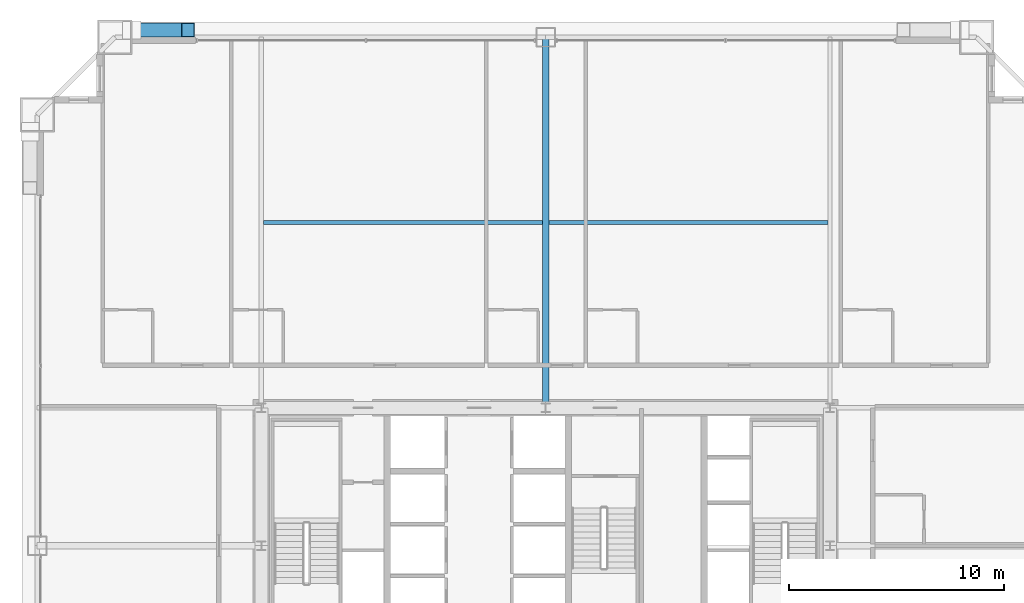
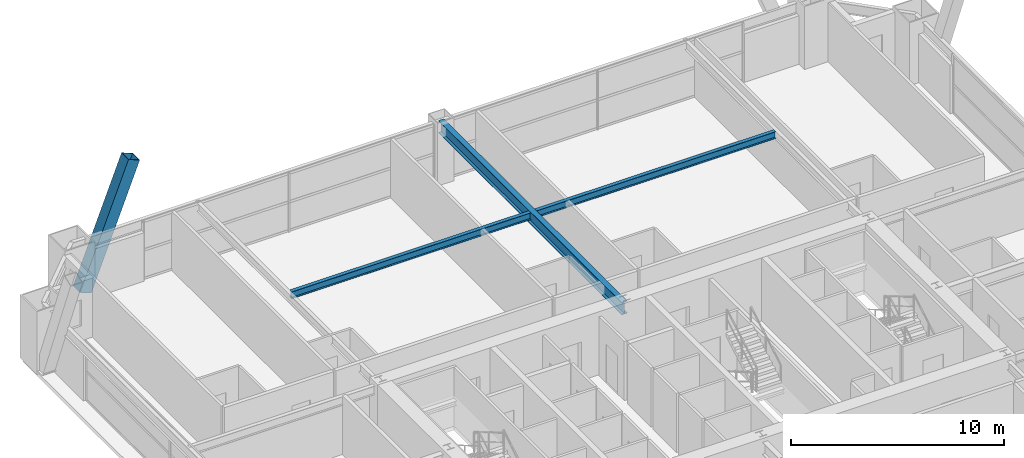
# One storey, part 24 of 41: 3 beams, 1 member.
"""IFC4 building model written with IfcOpenShell, lengths in metres."""

import ifcopenshell
import ifcopenshell.guid

model = None  # the IFC model being written
_history = None  # IfcOwnerHistory: only IFC2X3 demands one
_inside = {}  # id of a spatial element -> (the spatial element, [elements in it])
_under = {}  # id of a project, library or spatial element -> (it, [spatial elements below it])
_declared = {}  # id of a project -> (the project, [libraries it declares])
_typed = {}  # id of a type object -> (the type object, [elements of that type])
_made_of = {}  # id of a material, layer set ... -> (it, [elements and type objects made of it])


def new_model(schema):
    """Start an empty IFC model of exactly this schema.

    Asked for "IFC4X3", IfcOpenShell would pick the latest addendum, in which some entities
    have other attributes; the version numbers below select the first issue.
    IFC2X3 requires an IfcOwnerHistory on every rooted entity: one is made here for all.
    """
    global model, _history
    if schema == "IFC4X3":
        model = ifcopenshell.file(schema_version=(4, 3, 0, 0))
    else:
        model = ifcopenshell.file(schema=schema)
    _inside.clear()
    _under.clear()
    _declared.clear()
    _typed.clear()
    _made_of.clear()
    _history = None
    if model.schema == "IFC2X3":
        org = make("IfcOrganization", Name="unknown")
        user = make(
            "IfcPersonAndOrganization",
            ThePerson=make("IfcPerson", FamilyName="unknown"),
            TheOrganization=org,
        )
        app = make(
            "IfcApplication",
            ApplicationDeveloper=org,
            Version="unknown",
            ApplicationFullName="unknown",
            ApplicationIdentifier="unknown",
        )
        _history = make(
            "IfcOwnerHistory",
            OwningUser=user,
            OwningApplication=app,
            ChangeAction="ADDED",
            CreationDate=0,
        )
    return model


def make(cls, **values):
    """One entity of the class cls with the attributes given. An attribute that is None is left unset."""
    return model.create_entity(
        cls, **{name: value for name, value in values.items() if value is not None}
    )


def rooted(cls, **values):
    """An entity with a GlobalId (a new one), such as an element, a storey or a relation."""
    return make(cls, GlobalId=ifcopenshell.guid.new(), OwnerHistory=_history, **values)


def si_unit(unit_type, name, prefix=None):
    """IfcSIUnit, for example si_unit("LENGTHUNIT", "METRE", prefix="MILLI")."""
    return make("IfcSIUnit", UnitType=unit_type, Prefix=prefix, Name=name)


def assignment(units):
    """IfcUnitAssignment: the units of a project."""
    return None if units is None else make("IfcUnitAssignment", Units=units)


def point(xyz):
    """IfcCartesianPoint."""
    return None if xyz is None else make("IfcCartesianPoint", Coordinates=xyz)


def direction(xyz):
    """IfcDirection."""
    return None if xyz is None else make("IfcDirection", DirectionRatios=xyz)


def frame(location, z_axis=None, x_axis=None):
    """IfcAxis2Placement3D, a coordinate frame: its origin and axes. An axis left out is left unset."""
    return make(
        "IfcAxis2Placement3D",
        Location=point(location),
        Axis=direction(z_axis),
        RefDirection=direction(x_axis),
    )


def frame_2d(location, x_axis=None):
    """IfcAxis2Placement2D, a coordinate frame in the plane: its origin and x axis."""
    return make(
        "IfcAxis2Placement2D", Location=point(location), RefDirection=direction(x_axis)
    )


def origin():
    """The frame at (0, 0, 0) with its axes left unset."""
    return frame((0.0, 0.0, 0.0))


def origin_2d():
    """The frame at (0, 0) in the plane with its x axis left unset."""
    return frame_2d((0.0, 0.0))


def place(relative_to, where):
    """IfcLocalPlacement: puts the frame where relative to a parent placement (None: the world)."""
    return make(
        "IfcLocalPlacement", PlacementRelTo=relative_to, RelativePlacement=where
    )


def context(
    kind, dimensions, precision=None, world=None, true_north=None, identifier=None
):
    """IfcGeometricRepresentationContext, for example the 3D "Model" context."""
    return make(
        "IfcGeometricRepresentationContext",
        ContextIdentifier=identifier,
        ContextType=kind,
        CoordinateSpaceDimension=dimensions,
        Precision=precision,
        WorldCoordinateSystem=world,
        TrueNorth=true_north,
    )


def subcontext(parent, identifier, kind, view, scale=None):
    """IfcGeometricRepresentationSubContext, for example "Body" below "Model"."""
    return make(
        "IfcGeometricRepresentationSubContext",
        ContextIdentifier=identifier,
        ContextType=kind,
        ParentContext=parent,
        TargetScale=scale,
        TargetView=view,
    )


def project(units=None, contexts=None):
    """IfcProject with its units and contexts."""
    return rooted(
        "IfcProject",
        Name="project",
        RepresentationContexts=contexts,
        UnitsInContext=assignment(units),
    )


def spatial(cls, under=None, at=None, **own):
    """A site, building, storey or space (cls), placed at a placement, below another one or the project."""
    s = rooted(cls, ObjectPlacement=at, **own)
    if under is not None:
        _under.setdefault(under.id(), (under, []))[1].append(s)
    return s


def profile(cls, at=None, kind="AREA", **sizes):
    """A parametric profile (cls). Its sizes go by their IFC names, for example OverallWidth=200.0."""
    return make(cls, ProfileType=kind, Position=at, **sizes)


def hollow_rectangle(**sizes):
    """IfcRectangleHollowProfileDef."""
    return profile("IfcRectangleHollowProfileDef", **sizes)


def i_section(**sizes):
    """IfcIShapeProfileDef."""
    return profile("IfcIShapeProfileDef", **sizes)


def extrude(swept, where, along, depth):
    """IfcExtrudedAreaSolid: the profile swept, set in the frame where, extruded along a direction by depth."""
    return make(
        "IfcExtrudedAreaSolid",
        SweptArea=swept,
        Position=where,
        ExtrudedDirection=direction(along),
        Depth=depth,
    )


def shape(context_of_items, identifier, shape_type, items):
    """IfcShapeRepresentation: the items that make up one representation, for example the "Body"."""
    return make(
        "IfcShapeRepresentation",
        ContextOfItems=context_of_items,
        RepresentationIdentifier=identifier,
        RepresentationType=shape_type,
        Items=items,
    )


def source(mapping_origin, context_of_items, identifier, shape_type, items):
    """IfcRepresentationMap: a shape defined once, which mapped items show again and again."""
    return make(
        "IfcRepresentationMap",
        MappingOrigin=mapping_origin,
        MappedRepresentation=shape(context_of_items, identifier, shape_type, items),
    )


def transform(
    local_origin,
    x_axis=None,
    y_axis=None,
    z_axis=None,
    scale=None,
    scale2=None,
    scale3=None,
    uniform=True,
):
    """IfcCartesianTransformationOperator3D, or its non-uniform kind. x_axis, y_axis, z_axis: its Axis1, 2, 3."""
    if uniform:
        return make(
            "IfcCartesianTransformationOperator3D",
            Axis1=direction(x_axis),
            Axis2=direction(y_axis),
            LocalOrigin=point(local_origin),
            Scale=scale,
            Axis3=direction(z_axis),
        )
    return make(
        "IfcCartesianTransformationOperator3DnonUniform",
        Axis1=direction(x_axis),
        Axis2=direction(y_axis),
        LocalOrigin=point(local_origin),
        Scale=scale,
        Axis3=direction(z_axis),
        Scale2=scale2,
        Scale3=scale3,
    )


def mapped(mapping_source, mapping_target):
    """IfcMappedItem: shows the shape of a source again, moved by a transform."""
    return make(
        "IfcMappedItem", MappingSource=mapping_source, MappingTarget=mapping_target
    )


def material(Name=None, Category=None):
    """IfcMaterial."""
    return make("IfcMaterial", Name=Name, Category=Category)


def material_profile(
    of_material, cross_section, Name=None, Category=None, Priority=None
):
    """IfcMaterialProfile: a cross section and its material."""
    return make(
        "IfcMaterialProfile",
        Name=Name,
        Material=of_material,
        Profile=cross_section,
        Priority=Priority,
        Category=Category,
    )


def profile_set(profiles, Name=None, composite=None):
    """IfcMaterialProfileSet."""
    return make(
        "IfcMaterialProfileSet",
        Name=Name,
        MaterialProfiles=profiles,
        CompositeProfile=composite,
    )


def made_of(thing, what):
    """Note that an element or type object is made of a material, layer set ...; save() writes the relation."""
    if what is not None:
        _made_of.setdefault(what.id(), (what, []))[1].append(thing)
    return thing


def type_object(cls, material=None, **own):
    """A type object (cls), such as IfcWallType, which elements share."""
    return made_of(rooted(cls, **own), material)


def element(
    cls,
    number,
    at=None,
    inside=None,
    cuts=None,
    type_object=None,
    material=None,
    context=None,
    identifier="Body",
    shape_type=None,
    held_by="IfcProductDefinitionShape",
    body=None,
    shapes=None,
    **own,
):
    """One element of the class cls, such as IfcWall. Its Tag is "e" and its number.

    at: its placement. inside: the storey or other place that contains it. cuts: it is an
    opening in that element (IfcRelVoidsElement). A single representation is given by context,
    identifier, shape_type and body (its items); several are given by shapes. held_by: the class
    of the entity that holds the representations. save() writes the other relations.
    """
    e = rooted(cls, Tag="e%d" % number, ObjectPlacement=at, **own)
    if body is not None:
        shapes = [shape(context, identifier, shape_type, body)]
    if shapes is not None:
        e.Representation = make(held_by, Representations=shapes)
    if inside is not None:
        _inside.setdefault(inside.id(), (inside, []))[1].append(e)
    if cuts is not None:
        rooted(
            "IfcRelVoidsElement", RelatingBuildingElement=cuts, RelatedOpeningElement=e
        )
    if type_object is not None:
        _typed.setdefault(type_object.id(), (type_object, []))[1].append(e)
    return made_of(e, material)


def aggregate(whole, parts):
    """IfcRelAggregates: a whole, such as a stair, and the parts it consists of."""
    return rooted("IfcRelAggregates", RelatingObject=whole, RelatedObjects=parts)


def save(model, path):
    """Write the relations noted so far, then the file.

    IfcRelAggregates (storeys below a building ...), IfcRelContainedInSpatialStructure (elements
    in a storey), IfcRelDefinesByType, IfcRelAssociatesMaterial and IfcRelDeclares: one each for
    every whole, place, type object, material and project.
    """
    for whole, parts in _under.values():
        aggregate(whole, parts)
    for where, things in _inside.values():
        rooted(
            "IfcRelContainedInSpatialStructure",
            RelatedElements=things,
            RelatingStructure=where,
        )
    for kind, things in _typed.values():
        rooted("IfcRelDefinesByType", RelatedObjects=things, RelatingType=kind)
    for what, things in _made_of.values():
        rooted("IfcRelAssociatesMaterial", RelatedObjects=things, RelatingMaterial=what)
    for by, libraries in _declared.values():
        rooted("IfcRelDeclares", RelatingContext=by, RelatedDefinitions=libraries)
    model.write(path)


model = new_model("IFC4")

# Units and contexts
model_context = context("Model", 3, precision=1e-05, world=origin(), true_north=direction((0.0, 1.0)))
body_context = subcontext(model_context, "Body", "Model", "MODEL_VIEW")
ifc_project = project(units=[si_unit("LENGTHUNIT", "METRE"), si_unit("AREAUNIT", "SQUARE_METRE"), si_unit("VOLUMEUNIT", "CUBIC_METRE"), si_unit("PLANEANGLEUNIT", "RADIAN"), si_unit("MASSUNIT", "GRAM", prefix="KILO"), si_unit("THERMODYNAMICTEMPERATUREUNIT", "KELVIN"), si_unit("POWERUNIT", "WATT")], contexts=[model_context])

# Site, building, storey
site_placement = place(None, origin())
site = spatial("IfcSite", under=ifc_project, at=site_placement, CompositionType="ELEMENT")
building_placement = place(site_placement, origin())
building = spatial("IfcBuilding", under=site, at=building_placement, Name="Yuzanri Waterfront Tower", CompositionType="ELEMENT")
storey_placement = place(building_placement, frame((0.0, 0.0, 122.60009765625)))
storey = spatial("IfcBuildingStorey", under=building, at=storey_placement, Name="L32", CompositionType="ELEMENT", Elevation=122.60009765625)

# Beams
ifc_material_1 = material(Name="Steel Q355B", Category="steel")
ifc_material_profile_1 = material_profile(ifc_material_1, i_section(OverallWidth=0.199951171875, OverallDepth=0.39990234375, WebThickness=0.008056640625, FlangeThickness=0.012939453125, at=origin_2d()), Name="HN 400x200x8x13")
ifc_profile_set_1 = profile_set([ifc_material_profile_1], Name="Steel Q355B")
beam_type_1 = type_object("IfcBeamType", Name="Floor Joist Q355B HN 400x200", PredefinedType="JOIST", material=ifc_profile_set_1)
shared_shape_1 = source(origin(), body_context, "Body", "SweptSolid", [
    extrude(i_section(OverallWidth=0.199951171875, OverallDepth=0.39990234375, WebThickness=0.008056640625, FlangeThickness=0.012939453125, at=origin_2d()), origin(), (0.0, 0.0, 1.0), 12.9501953125),
])
for number, where, z_axis, x_axis, name in (
    (1, (23.89990234375, 40.800048828125, 3.179931640625), (1.0, 0.0, 0.0), (0.0, 1.0, 0.0), "L32 North Bay Joist W"),
    (2, (37.14990234375, 40.800048828125, 3.179931640625), (1.0, 0.0, 0.0), (0.0, 1.0, 0.0), "L32 North Bay Joist E"),
):
    element("IfcBeam", number, at=place(storey_placement, frame(where, z_axis=z_axis, x_axis=x_axis)), inside=storey, type_object=beam_type_1, Name=name, PredefinedType="JOIST", context=body_context, shape_type="MappedRepresentation", body=[
        mapped(shared_shape_1, transform((0.0, 0.0, 0.0), scale=1.0)),
    ])
ifc_material_2 = material(Name="Steel Q355B", Category="steel")
ifc_material_profile_2 = material_profile(ifc_material_2, i_section(OverallWidth=0.300048828125, OverallDepth=0.699951171875, WebThickness=0.012939453125, FlangeThickness=0.02392578125, at=origin_2d()), Name="HN 700x300x13x24")
ifc_profile_set_2 = profile_set([ifc_material_profile_2], Name="Steel Q355B")
beam_type_2 = type_object("IfcBeamType", Name="Primary Floor Girder Q355B HN 700x300", PredefinedType="BEAM", material=ifc_profile_set_2)
shared_shape_2 = source(origin(), body_context, "Body", "SweptSolid", [
    extrude(i_section(OverallWidth=0.300048828125, OverallDepth=0.699951171875, WebThickness=0.012939453125, FlangeThickness=0.02392578125, at=origin_2d()), origin(), (0.0, 0.0, 1.0), 17.199951171875),
])
beam_placement = place(storey_placement, frame((37.0, 32.199951171875, 3.02978515625), z_axis=(0.0, 1.0, 0.0), x_axis=(-1.0, 0.0, 0.0)))
element("IfcBeam", 3, at=beam_placement, inside=storey, type_object=beam_type_2, Name="L32 North Grid Girder", PredefinedType="BEAM", context=body_context, shape_type="MappedRepresentation", body=[
    mapped(shared_shape_2, transform((0.0, 0.0, 0.0), scale=1.0)),
])

# Member
ifc_material_3 = material(Name="Steel Q420GJC", Category="steel")
ifc_material_profile_3 = material_profile(ifc_material_3, hollow_rectangle(XDim=0.64990234375, YDim=0.64990234375, WallThickness=0.028076171875, at=origin_2d()), Name="RHS 650x650x28")
ifc_profile_set_3 = profile_set([ifc_material_profile_3], Name="Steel Q420GJC")
member_type = type_object("IfcMemberType", Name="Mega Brace Lower Q420GJC RHS 650x650x28", PredefinedType="BRACE", material=ifc_profile_set_3)
shared_shape_3 = source(origin(), body_context, "Body", "SweptSolid", [
    extrude(hollow_rectangle(XDim=0.64990234375, YDim=0.64990234375, WallThickness=0.028076171875, at=origin_2d()), origin(), (0.0, 0.0, 1.0), 7.19384765625),
])
member_placement = place(storey_placement, frame((17.780029296875, 49.739990234375, 0.179931640625), z_axis=(0.36417668996, 0.0, 0.9313298763), x_axis=(0.0, 1.0, 0.0)))
element("IfcMember", 4, at=member_placement, inside=storey, type_object=member_type, Name="L32-L33 Perimeter Mega-Brace N-L", PredefinedType="BRACE", context=body_context, shape_type="MappedRepresentation", body=[
    mapped(shared_shape_3, transform((0.0, 0.0, 0.0), scale=1.0)),
])

save(model, "model.ifc")
